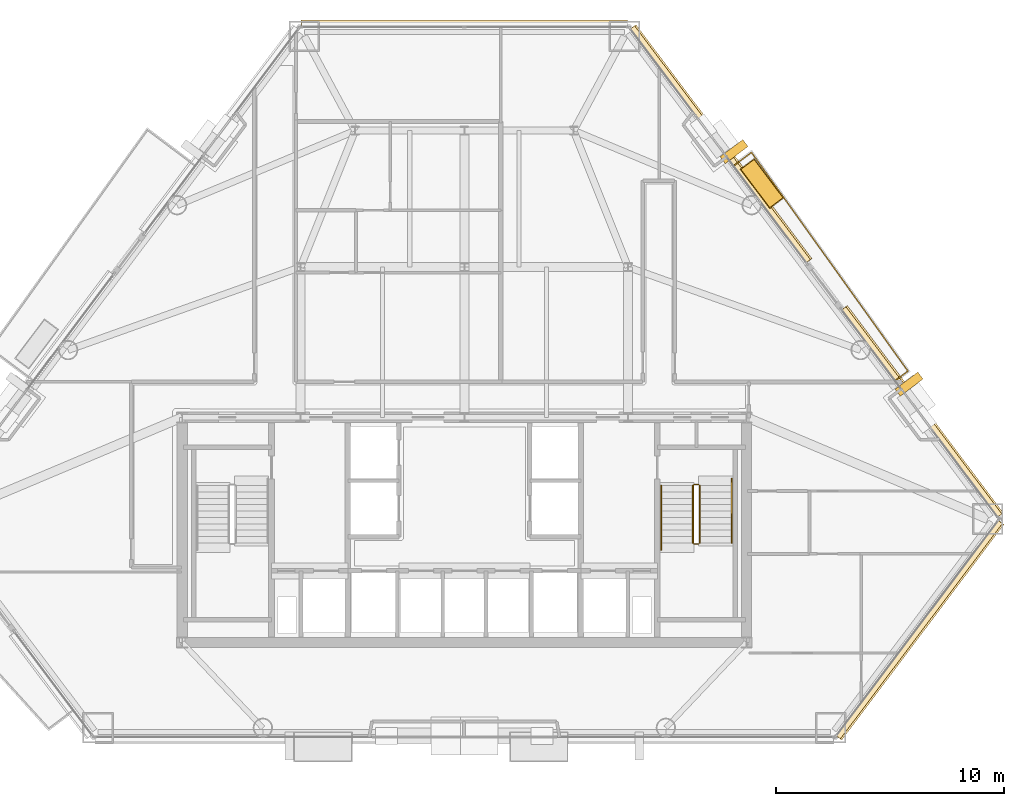
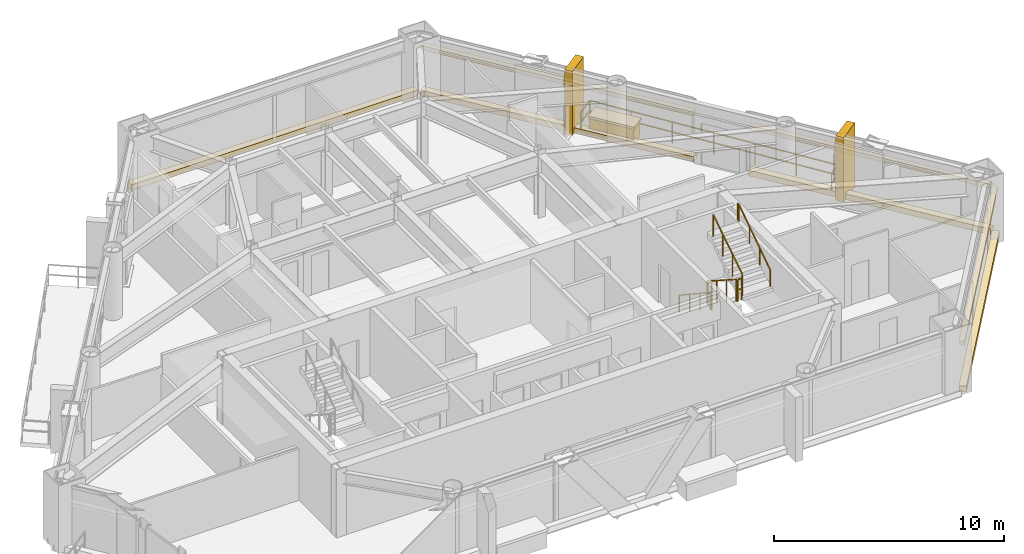
# One storey, part 10 of 10: 11 coverings, 7 railings.
"""IFC4 building model written with IfcOpenShell, lengths in metres."""

from ifc_helpers import new_model, si_unit, direction, frame, origin, origin_2d, place, context, subcontext, project, spatial, rectangle, extrude, material, layer, layer_set, type_object, element, save


model = new_model("IFC4")

# Units and contexts
model_context = context("Model", 3, precision=1e-05, world=origin(), true_north=direction((0.0, 1.0)))
body_context = subcontext(model_context, "Body", "Model", "MODEL_VIEW")
ifc_project = project(units=[si_unit("LENGTHUNIT", "METRE"), si_unit("AREAUNIT", "SQUARE_METRE"), si_unit("VOLUMEUNIT", "CUBIC_METRE"), si_unit("PLANEANGLEUNIT", "RADIAN"), si_unit("MASSUNIT", "GRAM", prefix="KILO")], contexts=[model_context])

# Site, building, storey
site_placement = place(None, origin())
site = spatial("IfcSite", under=ifc_project, at=site_placement, CompositionType="ELEMENT")
building_placement = place(site_placement, origin())
building = spatial("IfcBuilding", under=site, at=building_placement, Name="Talgorran Terracotta Tower", CompositionType="ELEMENT")
storey_placement = place(building_placement, frame((0.0, 0.0, 75.60009765625)))
storey = spatial("IfcBuildingStorey", under=building, at=storey_placement, Name="L19", CompositionType="ELEMENT", Elevation=75.60009765625)

# Coverings
ifc_material_1 = material(Name="Kiln-Fired Terracotta Ochre Ceramic", Category="masonry")
ifc_layer_1 = layer(ifc_material_1, 0.179931640625, Name="COV_BAGUETTE_TERRACOTTA_SCREEN")
ifc_layer_set_1 = layer_set([ifc_layer_1], Name="Kiln-Fired Terracotta Ochre Ceramic")
covering_type_1 = type_object("IfcCoveringType", Name="COV_BAGUETTE_TERRACOTTA_SCREEN", PredefinedType="CLADDING", material=ifc_layer_set_1)
covering_1_placement = place(storey_placement, frame((19.98388671875, -13.52001953125, 2.41015625), z_axis=(0.0, 0.0, 1.0), x_axis=(0.601243377531, 0.799065955334, 0.0)))
element("IfcCovering", 1, at=covering_1_placement, inside=storey, type_object=covering_type_1, Name="L19 Terracotta Baguette Solar Screen Assembly F2", PredefinedType="CLADDING", context=body_context, shape_type="SweptSolid", body=[
    extrude(rectangle(XDim=11.84130859375, YDim=0.260009765625, at=origin_2d()), origin(), (0.0, 0.0, 1.0), 0.219970703125),
])
covering_2_placement = place(storey_placement, frame((20.094482421875, -3.972900390625, 2.41015625), z_axis=(0.0, 0.0, 1.0), x_axis=(-0.601243377531, 0.799065955334, 0.0)))
element("IfcCovering", 2, at=covering_2_placement, inside=storey, type_object=covering_type_1, Name="L19 Terracotta Baguette Solar Screen Assembly F40", PredefinedType="CLADDING", context=body_context, shape_type="SweptSolid", body=[
    extrude(rectangle(XDim=11.393310546875, YDim=0.260009765625, at=origin_2d()), origin(), (0.0, 0.0, 1.0), 0.219970703125),
])
covering_3_placement = place(storey_placement, frame((11.2431640625, 7.791015625, 2.41015625), z_axis=(0.0, 0.0, 1.0), x_axis=(-0.601243377531, 0.799065955334, 0.0)))
element("IfcCovering", 3, at=covering_3_placement, inside=storey, type_object=covering_type_1, Name="L19 Terracotta Baguette Solar Screen Assembly F41", PredefinedType="CLADDING", context=body_context, shape_type="SweptSolid", body=[
    extrude(rectangle(XDim=12.850341796875, YDim=0.260009765625, at=origin_2d()), origin(), (0.0, 0.0, 1.0), 0.219970703125),
])
ifc_material_2 = material(Name="Honed Limestone and Terracotta Planter", Category="masonry")
ifc_layer_2 = layer(ifc_material_2, 0.1201171875, Name="COV_PLANTER_BOX")
ifc_layer_set_2 = layer_set([ifc_layer_2], Name="Honed Limestone and Terracotta Planter")
covering_type_2 = type_object("IfcCoveringType", Name="COV_PLANTER_BOX", PredefinedType="CLADDING", material=ifc_layer_set_2)
covering_4_placement = place(storey_placement, frame((13.078857421875, 6.074951171875, -0.02001953125), z_axis=(0.0, 0.0, 1.0), x_axis=(-0.601243377531, 0.799065955334, 0.0)))
element("IfcCovering", 4, at=covering_4_placement, inside=storey, type_object=covering_type_2, Name="L19 Staggered Balcony Planter Box BAL-NE", PredefinedType="CLADDING", context=body_context, shape_type="SweptSolid", body=[
    extrude(rectangle(XDim=2.10009765625, YDim=0.719970703125, at=origin_2d()), origin(), (0.0, 0.0, 1.0), 0.860107421875),
])
ifc_material_3 = material(Name="Kiln-Fired Terracotta Planter Rim", Category="masonry")
ifc_layer_3 = layer(ifc_material_3, 0.10009765625, Name="COV_PLANTER_RIM")
ifc_layer_set_3 = layer_set([ifc_layer_3], Name="Kiln-Fired Terracotta Planter Rim")
covering_type_3 = type_object("IfcCoveringType", Name="COV_PLANTER_RIM", PredefinedType="CLADDING", material=ifc_layer_set_3)
covering_5_placement = place(storey_placement, frame((13.078857421875, 6.074951171875, 0.7998046875), z_axis=(0.0, 0.0, 1.0), x_axis=(-0.601243377531, 0.799065955334, 0.0)))
element("IfcCovering", 5, at=covering_5_placement, inside=storey, type_object=covering_type_3, Name="L19 Balcony Planter Terracotta Rim BAL-NE", PredefinedType="CLADDING", context=body_context, shape_type="SweptSolid", body=[
    extrude(rectangle(XDim=2.179931640625, YDim=0.780029296875, at=origin_2d()), origin(), (0.0, 0.0, 1.0), 0.1201171875),
])
ifc_material_4 = material(Name="Honed Limestone Cladding", Category="masonry")
ifc_layer_4 = layer(ifc_material_4, 0.094970703125, Name="COV_PORTAL_LIME")
ifc_layer_set_4 = layer_set([ifc_layer_4], Name="Honed Limestone Cladding")
covering_type_4 = type_object("IfcCoveringType", Name="COV_PORTAL_LIME", PredefinedType="CLADDING", material=ifc_layer_set_4)
covering_6_placement = place(storey_placement, frame((19.543701171875, -2.741943359375, -0.050048828125), z_axis=(0.0, 0.0, 1.0), x_axis=(-0.601243377531, 0.799065955334, 0.0)))
element("IfcCovering", 6, at=covering_6_placement, inside=storey, type_object=covering_type_4, Name="L19 White Striped Portal Fin F3-1", PredefinedType="CLADDING", context=body_context, shape_type="SweptSolid", body=[
    extrude(rectangle(XDim=0.3798828125, YDim=1.25, at=origin_2d()), origin(), (0.0, 0.0, 1.0), 3.39990234375),
])
ifc_material_5 = material(Name="Kiln-Fired Terracotta Cladding", Category="masonry")
ifc_layer_5 = layer(ifc_material_5, 0.090087890625, Name="COV_PORTAL_TERRA")
ifc_layer_set_5 = layer_set([ifc_layer_5], Name="Kiln-Fired Terracotta Cladding")
covering_type_5 = type_object("IfcCoveringType", Name="COV_PORTAL_TERRA", PredefinedType="CLADDING", material=ifc_layer_set_5)
covering_7_placement = place(storey_placement, frame((20.015869140625, -13.5439453125, -0.0400390625), z_axis=(0.0, 0.0, 1.0), x_axis=(0.601243377531, 0.799065955334, 0.0)))
element("IfcCovering", 7, at=covering_7_placement, inside=storey, type_object=covering_type_5, Name="L19 Striped Postmodern Portal Cladding Band F2", PredefinedType="CLADDING", context=body_context, shape_type="SweptSolid", body=[
    extrude(rectangle(XDim=11.861328125, YDim=0.340087890625, at=origin_2d()), origin(), (0.0, 0.0, 1.0), 0.300048828125),
])
covering_8_placement = place(storey_placement, frame((20.12646484375, -3.94873046875, -0.0400390625), z_axis=(0.0, 0.0, 1.0), x_axis=(-0.601243377531, 0.799065955334, 0.0)))
element("IfcCovering", 8, at=covering_8_placement, inside=storey, type_object=covering_type_5, Name="L19 Striped Postmodern Portal Cladding Band F40", PredefinedType="CLADDING", context=body_context, shape_type="SweptSolid", body=[
    extrude(rectangle(XDim=11.4130859375, YDim=0.340087890625, at=origin_2d()), origin(), (0.0, 0.0, 1.0), 0.300048828125),
])
covering_9_placement = place(storey_placement, frame((11.275146484375, 7.81494140625, -0.0400390625), z_axis=(0.0, 0.0, 1.0), x_axis=(-0.601243377531, 0.799065955334, 0.0)))
element("IfcCovering", 9, at=covering_9_placement, inside=storey, type_object=covering_type_5, Name="L19 Striped Postmodern Portal Cladding Band F41", PredefinedType="CLADDING", context=body_context, shape_type="SweptSolid", body=[
    extrude(rectangle(XDim=12.870361328125, YDim=0.340087890625, at=origin_2d()), origin(), (0.0, 0.0, 1.0), 0.300048828125),
])
covering_10_placement = place(storey_placement, frame((0.0, 13.0927734375, -0.0400390625), z_axis=(0.0, 0.0, 1.0), x_axis=(-1.0, 0.0, 0.0)))
element("IfcCovering", 10, at=covering_10_placement, inside=storey, type_object=covering_type_5, Name="L19 Striped Postmodern Portal Cladding Band F4", PredefinedType="CLADDING", context=body_context, shape_type="SweptSolid", body=[
    extrude(rectangle(XDim=14.34814453125, YDim=0.340087890625, at=origin_2d()), origin(), (0.0, 0.0, 1.0), 0.300048828125),
])
covering_11_placement = place(storey_placement, frame((11.853759765625, 7.478515625, -0.050048828125), z_axis=(0.0, 0.0, 1.0), x_axis=(-0.601243377531, 0.799065955334, 0.0)))
element("IfcCovering", 11, at=covering_11_placement, inside=storey, type_object=covering_type_5, Name="L19 Terracotta Striped Portal Fin F3-2", PredefinedType="CLADDING", context=body_context, shape_type="SweptSolid", body=[
    extrude(rectangle(XDim=0.3798828125, YDim=1.25, at=origin_2d()), origin(), (0.0, 0.0, 1.0), 3.39990234375),
])

# Railings
ifc_material_6 = material(Name="Laminated Glass and Stainless Steel 316", Category="steel")
railing_type_1 = type_object("IfcRailingType", Name="RL_BALCONY_1150", PredefinedType="BALUSTRADE", material=ifc_material_6)
railing_1_placement = place(storey_placement, frame((18.946533203125, -2.580078125, 0.0)))
element("IfcRailing", 12, at=railing_1_placement, inside=storey, type_object=railing_type_1, Name="RL-L19-BAL-BAL-NE", PredefinedType="BALUSTRADE", context=body_context, shape_type="SweptSolid", body=[
    extrude(rectangle(XDim=0.048095703125, YDim=0.048095703125, at=origin_2d()), frame((0.0, 0.0, 1.1259765625), z_axis=(0.799229343285, 0.601026169839, 0.0), x_axis=(-0.601026169839, 0.799229343285, 0.0)), (0.0, 0.0, 1.0), 0.684814453125),
    extrude(rectangle(XDim=0.048095703125, YDim=0.048095703125, at=origin_2d()), frame((0.0, 0.0, 0.597900390625), z_axis=(0.799229343285, 0.601026169839, 0.0), x_axis=(-0.601026169839, 0.799229343285, 0.0)), (0.0, 0.0, 1.0), 0.684814453125),
    extrude(rectangle(XDim=0.048095703125, YDim=0.048095703125, at=origin_2d()), frame((0.54736328125, 0.41162109375, 1.1259765625), z_axis=(-0.581947363111, 0.813226454666, 0.0), x_axis=(-0.813226454666, -0.581947363111, 0.0)), (0.0, 0.0, 1.0), 11.817626953125),
    extrude(rectangle(XDim=0.048095703125, YDim=0.048095703125, at=origin_2d()), frame((0.54736328125, 0.41162109375, 0.597900390625), z_axis=(-0.581947363111, 0.813226454666, 0.0), x_axis=(-0.813226454666, -0.581947363111, 0.0)), (0.0, 0.0, 1.0), 11.817626953125),
    extrude(rectangle(XDim=0.048095703125, YDim=0.048095703125, at=origin_2d()), frame((-6.329833984375, 10.02197265625, 1.1259765625), z_axis=(-0.799060434239, -0.601250715122, 0.0), x_axis=(0.601250715122, -0.799060434239, 0.0)), (0.0, 0.0, 1.0), 0.967529296875),
    extrude(rectangle(XDim=0.048095703125, YDim=0.048095703125, at=origin_2d()), frame((-6.329833984375, 10.02197265625, 0.597900390625), z_axis=(-0.799060434239, -0.601250715122, 0.0), x_axis=(0.601250715122, -0.799060434239, 0.0)), (0.0, 0.0, 1.0), 0.967529296875),
    extrude(rectangle(XDim=0.0419921875, YDim=0.0419921875, at=origin_2d()), origin(), (0.0, 0.0, 1.0), 1.101806640625),
    extrude(rectangle(XDim=0.0419921875, YDim=0.0419921875, at=origin_2d()), frame((0.54736328125, 0.41162109375, 0.0)), (0.0, 0.0, 1.0), 1.101806640625),
    extrude(rectangle(XDim=0.0419921875, YDim=0.0419921875, at=origin_2d()), frame((-0.598876953125, 2.013427734375, 0.0)), (0.0, 0.0, 1.0), 1.101806640625),
    extrude(rectangle(XDim=0.0419921875, YDim=0.0419921875, at=origin_2d()), frame((-1.7451171875, 3.614990234375, 0.0)), (0.0, 0.0, 1.0), 1.101806640625),
    extrude(rectangle(XDim=0.0419921875, YDim=0.0419921875, at=origin_2d()), frame((-2.89111328125, 5.216796875, 0.0)), (0.0, 0.0, 1.0), 1.101806640625),
    extrude(rectangle(XDim=0.0419921875, YDim=0.0419921875, at=origin_2d()), frame((-4.037353515625, 6.818603515625, 0.0)), (0.0, 0.0, 1.0), 1.101806640625),
    extrude(rectangle(XDim=0.0419921875, YDim=0.0419921875, at=origin_2d()), frame((-5.18359375, 8.420166015625, 0.0)), (0.0, 0.0, 1.0), 1.101806640625),
    extrude(rectangle(XDim=0.0419921875, YDim=0.0419921875, at=origin_2d()), frame((-6.329833984375, 10.02197265625, 0.0)), (0.0, 0.0, 1.0), 1.101806640625),
    extrude(rectangle(XDim=0.0419921875, YDim=0.0419921875, at=origin_2d()), frame((-7.10302734375, 9.440185546875, 0.0)), (0.0, 0.0, 1.0), 1.101806640625),
])
ifc_material_7 = material(Name="Steel S355 (300PLUS)", Category="steel")
railing_type_2 = type_object("IfcRailingType", Name="RL_HANDRAIL_920", PredefinedType="HANDRAIL", material=ifc_material_7)
railing_2_placement = place(storey_placement, frame((8.64990234375, -7.199951171875, 0.179931640625)))
element("IfcRailing", 13, at=railing_2_placement, inside=storey, type_object=railing_type_2, Name="L19 ST-02 stair handrail 1", PredefinedType="HANDRAIL", context=body_context, shape_type="SweptSolid", body=[
    extrude(rectangle(XDim=0.048095703125, YDim=0.048095703125, at=origin_2d()), frame((0.0, 0.0, 0.89599609375), z_axis=(0.0, -0.832038719335, 0.554717558338), x_axis=(1.0, 0.0, 0.0)), (0.0, 0.0, 1.0), 3.244873046875),
    extrude(rectangle(XDim=0.048095703125, YDim=0.048095703125, at=origin_2d()), frame((0.0, -2.699951171875, 2.69580078125), z_axis=(0.0, -1.0, 0.0), x_axis=(1.0, 0.0, 0.0)), (0.0, 0.0, 1.0), 0.1201171875),
    extrude(rectangle(XDim=0.0419921875, YDim=0.0419921875, at=origin_2d()), origin(), (0.0, 0.0, 1.0), 0.871826171875),
    extrude(rectangle(XDim=0.0419921875, YDim=0.0419921875, at=origin_2d()), frame((0.0, -0.89990234375, 0.60009765625)), (0.0, 0.0, 1.0), 0.871826171875),
    extrude(rectangle(XDim=0.0419921875, YDim=0.0419921875, at=origin_2d()), frame((0.0, -1.800048828125, 1.199951171875)), (0.0, 0.0, 1.0), 0.871826171875),
    extrude(rectangle(XDim=0.0419921875, YDim=0.0419921875, at=origin_2d()), frame((0.0, -2.699951171875, 1.800048828125)), (0.0, 0.0, 1.0), 0.871826171875),
    extrude(rectangle(XDim=0.0419921875, YDim=0.0419921875, at=origin_2d()), frame((0.0, -2.820068359375, 1.800048828125)), (0.0, 0.0, 1.0), 0.871826171875),
])
railing_3_placement = place(storey_placement, frame((11.75, -9.719970703125, 1.97998046875)))
element("IfcRailing", 14, at=railing_3_placement, inside=storey, type_object=railing_type_2, Name="L19 ST-02 stair handrail 2", PredefinedType="HANDRAIL", context=body_context, shape_type="SweptSolid", body=[
    extrude(rectangle(XDim=0.048095703125, YDim=0.048095703125, at=origin_2d()), frame((0.0, 0.0, 0.89599609375), z_axis=(0.0, 0.832073444223, 0.554665469827), x_axis=(-1.0, 0.0, 0.0)), (0.0, 0.0, 1.0), 3.244873046875),
    extrude(rectangle(XDim=0.048095703125, YDim=0.048095703125, at=origin_2d()), frame((0.0, 2.699951171875, 2.69580078125), z_axis=(0.0, 1.0, 0.0), x_axis=(-1.0, 0.0, 0.0)), (0.0, 0.0, 1.0), 0.1201171875),
    extrude(rectangle(XDim=0.0419921875, YDim=0.0419921875, at=origin_2d()), origin(), (0.0, 0.0, 1.0), 0.871826171875),
    extrude(rectangle(XDim=0.0419921875, YDim=0.0419921875, at=origin_2d()), frame((0.0, 0.89990234375, 0.599853515625)), (0.0, 0.0, 1.0), 0.871826171875),
    extrude(rectangle(XDim=0.0419921875, YDim=0.0419921875, at=origin_2d()), frame((0.0, 1.800048828125, 1.199951171875)), (0.0, 0.0, 1.0), 0.871826171875),
    extrude(rectangle(XDim=0.0419921875, YDim=0.0419921875, at=origin_2d()), frame((0.0, 2.699951171875, 1.7998046875)), (0.0, 0.0, 1.0), 0.871826171875),
    extrude(rectangle(XDim=0.0419921875, YDim=0.0419921875, at=origin_2d()), frame((0.0, 2.820068359375, 1.7998046875)), (0.0, 0.0, 1.0), 0.871826171875),
])
railing_type_3 = type_object("IfcRailingType", Name="RL_STAIR_GUARD", PredefinedType="GUARDRAIL", material=ifc_material_7)
railing_4_placement = place(storey_placement, frame((10.050048828125, -7.199951171875, 0.179931640625)))
element("IfcRailing", 15, at=railing_4_placement, inside=storey, type_object=railing_type_3, Name="L19 ST-02 stair guard 1", PredefinedType="GUARDRAIL", context=body_context, shape_type="SweptSolid", body=[
    extrude(rectangle(XDim=0.048095703125, YDim=0.048095703125, at=origin_2d()), frame((0.0, 0.0, 1.15576171875), z_axis=(0.0, -0.841199657755, 0.540724639528), x_axis=(1.0, 0.0, 0.0)), (0.0, 0.0, 1.0), 2.995849609375),
    extrude(rectangle(XDim=0.0419921875, YDim=0.0419921875, at=origin_2d()), origin(), (0.0, 0.0, 1.0), 1.1318359375),
    extrude(rectangle(XDim=0.0419921875, YDim=0.0419921875, at=origin_2d()), frame((0.0, -0.840087890625, 0.5400390625)), (0.0, 0.0, 1.0), 1.1318359375),
    extrude(rectangle(XDim=0.0419921875, YDim=0.0419921875, at=origin_2d()), frame((0.0, -1.679931640625, 1.079833984375)), (0.0, 0.0, 1.0), 1.1318359375),
    extrude(rectangle(XDim=0.0419921875, YDim=0.0419921875, at=origin_2d()), frame((0.0, -2.52001953125, 1.619873046875)), (0.0, 0.0, 1.0), 1.1318359375),
])
railing_5_placement = place(storey_placement, frame((10.10009765625, -9.77001953125, 1.7998046875)))
element("IfcRailing", 16, at=railing_5_placement, inside=storey, type_object=railing_type_3, Name="L19 ST-02 stair guard 2", PredefinedType="GUARDRAIL", context=body_context, shape_type="SweptSolid", body=[
    extrude(rectangle(XDim=0.048095703125, YDim=0.048095703125, at=origin_2d()), frame((0.0, 0.0, 1.15576171875), z_axis=(1.0, 0.0, 0.0), x_axis=(0.0, 1.0, 0.0)), (0.0, 0.0, 1.0), 0.199951171875),
    extrude(rectangle(XDim=0.048095703125, YDim=0.048095703125, at=origin_2d()), frame((0.0, 0.0, 0.613525390625), z_axis=(1.0, 0.0, 0.0), x_axis=(0.0, 1.0, 0.0)), (0.0, 0.0, 1.0), 0.199951171875),
    extrude(rectangle(XDim=0.0419921875, YDim=0.0419921875, at=origin_2d()), origin(), (0.0, 0.0, 1.0), 1.1318359375),
    extrude(rectangle(XDim=0.0419921875, YDim=0.0419921875, at=origin_2d()), frame((0.199951171875, 0.0, 0.0)), (0.0, 0.0, 1.0), 1.1318359375),
])
railing_6_placement = place(storey_placement, frame((10.35009765625, -9.719970703125, 1.97998046875)))
element("IfcRailing", 17, at=railing_6_placement, inside=storey, type_object=railing_type_3, Name="L19 ST-02 stair guard 3", PredefinedType="GUARDRAIL", context=body_context, shape_type="SweptSolid", body=[
    extrude(rectangle(XDim=0.048095703125, YDim=0.048095703125, at=origin_2d()), frame((0.0, 0.0, 1.15576171875), z_axis=(0.0, 0.841199657755, 0.540724639528), x_axis=(-1.0, 0.0, 0.0)), (0.0, 0.0, 1.0), 2.995849609375),
    extrude(rectangle(XDim=0.0419921875, YDim=0.0419921875, at=origin_2d()), origin(), (0.0, 0.0, 1.0), 1.1318359375),
    extrude(rectangle(XDim=0.0419921875, YDim=0.0419921875, at=origin_2d()), frame((0.0, 0.840087890625, 0.5400390625)), (0.0, 0.0, 1.0), 1.1318359375),
    extrude(rectangle(XDim=0.0419921875, YDim=0.0419921875, at=origin_2d()), frame((0.0, 1.679931640625, 1.079833984375)), (0.0, 0.0, 1.0), 1.1318359375),
    extrude(rectangle(XDim=0.0419921875, YDim=0.0419921875, at=origin_2d()), frame((0.0, 2.52001953125, 1.619873046875)), (0.0, 0.0, 1.0), 1.1318359375),
])
railing_7_placement = place(storey_placement, frame((10.10009765625, -7.14990234375, 0.0)))
element("IfcRailing", 18, at=railing_7_placement, inside=storey, type_object=railing_type_3, Name="L19 ST-02 stair guard 4", PredefinedType="GUARDRAIL", context=body_context, shape_type="SweptSolid", body=[
    extrude(rectangle(XDim=0.048095703125, YDim=0.048095703125, at=origin_2d()), frame((0.0, 0.0, 1.15576171875), z_axis=(1.0, 0.0, 0.0), x_axis=(0.0, 1.0, 0.0)), (0.0, 0.0, 1.0), 0.199951171875),
    extrude(rectangle(XDim=0.048095703125, YDim=0.048095703125, at=origin_2d()), frame((0.0, 0.0, 0.613525390625), z_axis=(1.0, 0.0, 0.0), x_axis=(0.0, 1.0, 0.0)), (0.0, 0.0, 1.0), 0.199951171875),
    extrude(rectangle(XDim=0.0419921875, YDim=0.0419921875, at=origin_2d()), origin(), (0.0, 0.0, 1.0), 1.1318359375),
    extrude(rectangle(XDim=0.0419921875, YDim=0.0419921875, at=origin_2d()), frame((0.199951171875, 0.0, 0.0)), (0.0, 0.0, 1.0), 1.1318359375),
])

save(model, "model.ifc")
